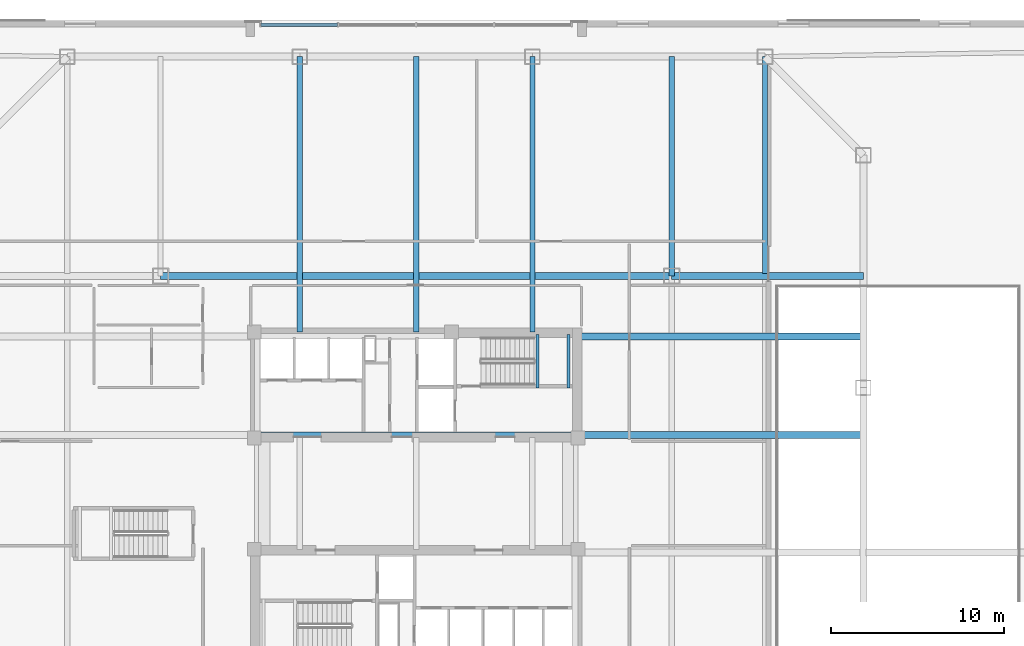
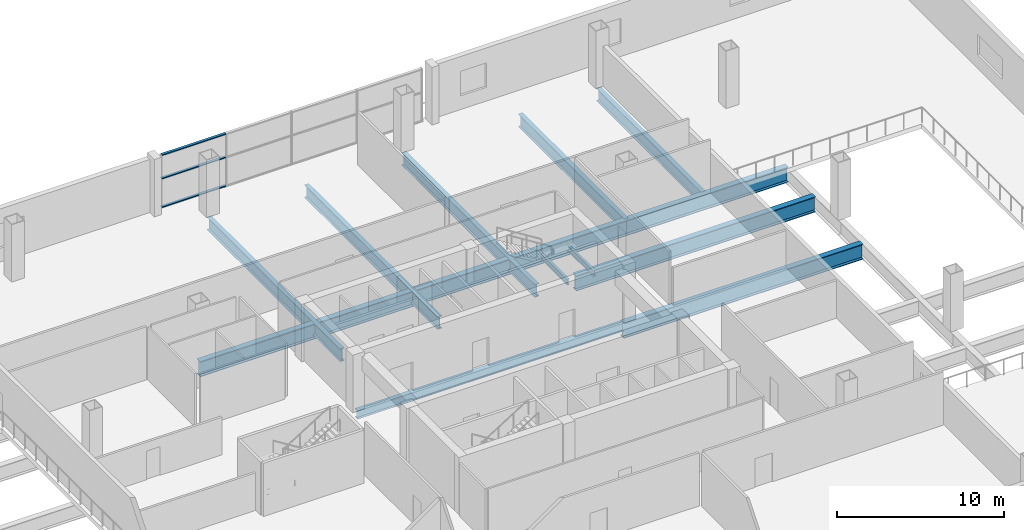
# One storey, part 9 of 21: 12 beams, 3 members, 1 element without a shape of its own.
"""IFC4 building model written with IfcOpenShell, lengths in metres."""

from ifc_helpers import new_model, si_unit, direction, frame, origin, origin_2d, place, context, subcontext, project, spatial, hollow_rectangle, i_section, extrude, material, layer, layer_set, material_profile, profile_set, type_object, element, aggregate, save


model = new_model("IFC4")

# Units and contexts
model_context = context("Model", 3, precision=1e-05, world=origin(), true_north=direction((0.0, 1.0)))
body_context = subcontext(model_context, "Body", "Model", "MODEL_VIEW")
ifc_project = project(units=[si_unit("LENGTHUNIT", "METRE"), si_unit("AREAUNIT", "SQUARE_METRE"), si_unit("VOLUMEUNIT", "CUBIC_METRE"), si_unit("PLANEANGLEUNIT", "RADIAN"), si_unit("MASSUNIT", "GRAM", prefix="KILO")], contexts=[model_context])

# Site, building, storey
site_placement = place(None, origin())
site = spatial("IfcSite", under=ifc_project, at=site_placement, CompositionType="ELEMENT")
building_placement = place(site_placement, origin())
building = spatial("IfcBuilding", under=site, at=building_placement, Name="Qhalaya Broadcast Tower", CompositionType="ELEMENT")
storey_placement = place(building_placement, frame((0.0, 0.0, 9.300048828125)))
storey = spatial("IfcBuildingStorey", under=building, at=storey_placement, Name="L02", CompositionType="ELEMENT", Elevation=9.300048828125)

# Beams
ifc_material_1 = material(Name="Structural Steel ASTM A992 Grade 50", Category="steel")
ifc_material_profile_1 = material_profile(ifc_material_1, i_section(OverallWidth=0.323974609375, OverallDepth=0.612060546875, WebThickness=0.0126953125, FlangeThickness=0.01904296875, at=origin_2d()), Name="W24X104")
ifc_profile_set_1 = profile_set([ifc_material_profile_1], Name="Structural Steel ASTM A992 Grade 50")
beam_type_1 = type_object("IfcBeamType", Name="Core Frame Tie Beam B04", PredefinedType="BEAM", material=ifc_profile_set_1)
beam_1_placement = place(storey_placement, frame((-9.199951171875, 4.0, -0.6259765625), z_axis=(1.0, 0.0, 0.0), x_axis=(0.0, 1.0, 0.0)))
element("IfcBeam", 1, at=beam_1_placement, inside=storey, type_object=beam_type_1, Name="L02 B04 L02-CCN1", PredefinedType="BEAM", context=body_context, shape_type="SweptSolid", body=[
    extrude(i_section(OverallWidth=0.323974609375, OverallDepth=0.612060546875, WebThickness=0.0126953125, FlangeThickness=0.01904296875, at=origin_2d()), origin(), (0.0, 0.0, 1.0), 18.39990234375),
])
ifc_material_profile_2 = material_profile(ifc_material_1, i_section(OverallWidth=0.306884765625, OverallDepth=0.927001953125, WebThickness=0.019287109375, FlangeThickness=0.031982421875, at=origin_2d()), Name="W36X194")
ifc_profile_set_2 = profile_set([ifc_material_profile_2], Name="Structural Steel ASTM A992 Grade 50")
beam_type_2 = type_object("IfcBeamType", Name="Heavy Studio Floor Beam B01", PredefinedType="BEAM", material=ifc_profile_set_2)
for number, where, z_axis, x_axis, name in (
    (2, (-6.7333984375, 9.949951171875, -0.783447265625), (0.0, 1.0, 0.0), (-1.0, 0.0, 0.0), "L02 B01 L02-JS-CN-6.7"),
    (3, (0.0, 9.949951171875, -0.783447265625), (0.0, 1.0, 0.0), (-1.0, 0.0, 0.0), "L02 B01 L02-JS-CN+0.0"),
    (4, (6.7333984375, 9.949951171875, -0.783447265625), (0.0, 1.0, 0.0), (-1.0, 0.0, 0.0), "L02 B01 L02-JS-CN+6.7"),
):
    element("IfcBeam", number, at=place(storey_placement, frame(where, z_axis=z_axis, x_axis=x_axis)), inside=storey, type_object=beam_type_2, Name=name, PredefinedType="BEAM", context=body_context, shape_type="SweptSolid", body=[
        extrude(i_section(OverallWidth=0.306884765625, OverallDepth=0.927001953125, WebThickness=0.019287109375, FlangeThickness=0.031982421875, at=origin_2d()), origin(), (0.0, 0.0, 1.0), 15.949951171875),
    ])
beam_2_placement = place(storey_placement, frame((14.800048828125, 13.199951171875, -0.783447265625), z_axis=(0.0, 1.0, 0.0), x_axis=(-1.0, 0.0, 0.0)))
element("IfcBeam", 5, at=beam_2_placement, inside=storey, type_object=beam_type_2, Name="L02 B01 L02-JS-N+14.8", PredefinedType="BEAM", context=body_context, shape_type="SweptSolid", body=[
    extrude(i_section(OverallWidth=0.306884765625, OverallDepth=0.927001953125, WebThickness=0.019287109375, FlangeThickness=0.031982421875, at=origin_2d()), origin(), (0.0, 0.0, 1.0), 12.699951171875),
])
beam_3_placement = place(storey_placement, frame((20.199951171875, 13.340087890625, -0.783447265625), z_axis=(0.0, 1.0, 0.0), x_axis=(-1.0, 0.0, 0.0)))
element("IfcBeam", 6, at=beam_3_placement, inside=storey, type_object=beam_type_2, Name="L02 B01 L02-JS-N+20.2", PredefinedType="BEAM", context=body_context, shape_type="SweptSolid", body=[
    extrude(i_section(OverallWidth=0.306884765625, OverallDepth=0.927001953125, WebThickness=0.019287109375, FlangeThickness=0.031982421875, at=origin_2d()), origin(), (0.0, 0.0, 1.0), 12.559814453125),
])
ifc_material_profile_3 = material_profile(ifc_material_1, i_section(OverallWidth=0.404052734375, OverallDepth=1.117919921875, WebThickness=0.026123046875, FlangeThickness=0.044921875, at=origin_2d()), Name="W44X335")
ifc_profile_set_3 = profile_set([ifc_material_profile_3], Name="Structural Steel ASTM A992 Grade 50")
beam_type_3 = type_object("IfcBeamType", Name="Podium Long-Span Primary Girder PG1", PredefinedType="USERDEFINED", material=ifc_profile_set_3)
beam_4_placement = place(storey_placement, frame((-14.800048828125, 13.199951171875, -0.879150390625), z_axis=(1.0, 0.0, 0.0), x_axis=(0.0, 1.0, 0.0)))
element("IfcBeam", 7, at=beam_4_placement, inside=storey, type_object=beam_type_3, Name="L02 PG1 L02-PG-GN3", ObjectType="GIRDER", PredefinedType="USERDEFINED", context=body_context, shape_type="SweptSolid", body=[
    extrude(i_section(OverallWidth=0.404052734375, OverallDepth=1.117919921875, WebThickness=0.026123046875, FlangeThickness=0.044921875, at=origin_2d()), origin(), (0.0, 0.0, 1.0), 29.60009765625),
])
beam_5_placement = place(storey_placement, frame((14.800048828125, 13.199951171875, -0.879150390625), z_axis=(1.0, 0.0, 0.0), x_axis=(0.0, 1.0, 0.0)))
element("IfcBeam", 8, at=beam_5_placement, inside=storey, type_object=beam_type_3, Name="L02 PG1 L02-PG-GN4", ObjectType="GIRDER", PredefinedType="USERDEFINED", context=body_context, shape_type="SweptSolid", body=[
    extrude(i_section(OverallWidth=0.404052734375, OverallDepth=1.117919921875, WebThickness=0.026123046875, FlangeThickness=0.044921875, at=origin_2d()), origin(), (0.0, 0.0, 1.0), 11.099853515625),
])
for number, where, z_axis, x_axis, name in (
    (9, (9.199951171875, 4.0, -0.879150390625), (1.0, 0.0, 0.0), (0.0, 1.0, 0.0), "L02 PG1 L02-PG-E3A"),
    (10, (9.199951171875, 9.699951171875, -0.879150390625), (1.0, 0.0, 0.0), (0.0, 1.0, 0.0), "L02 PG1 L02-PG-E4A"),
):
    element("IfcBeam", number, at=place(storey_placement, frame(where, z_axis=z_axis, x_axis=x_axis)), inside=storey, type_object=beam_type_3, Name=name, ObjectType="GIRDER", PredefinedType="USERDEFINED", context=body_context, shape_type="SweptSolid", body=[
        extrude(i_section(OverallWidth=0.404052734375, OverallDepth=1.117919921875, WebThickness=0.026123046875, FlangeThickness=0.044921875, at=origin_2d()), origin(), (0.0, 0.0, 1.0), 16.56005859375),
    ])

# Curtain wall, members
ifc_material_2 = material(Name="Solar-Control Low-E Triple Glazing", Category="glass")
ifc_layer = layer(ifc_material_2, 0.219970703125, Name="Solar-Control Low-E Triple Glazing")
ifc_layer_set = layer_set([ifc_layer], Name="Solar-Control Low-E Triple Glazing")
curtain_wall_type = type_object("IfcCurtainWallType", Name="Podium Concourse Triple-Height Glazed Portal CW-01", PredefinedType="NOTDEFINED", material=ifc_layer_set)
curtain_wall_placement = place(storey_placement, origin())
curtain_wall = element("IfcCurtainWall", 11, at=curtain_wall_placement, inside=storey, type_object=curtain_wall_type, Name="L02 Unitised Curtain Wall L02-CW01-N", PredefinedType="NOTDEFINED")
ifc_material_3 = material(Name="Anodised Aluminium 6063-T6", Category="aluminium")
ifc_material_profile_4 = material_profile(ifc_material_3, hollow_rectangle(XDim=0.074951171875, YDim=0.179931640625, WallThickness=0.00390625, at=origin_2d()), Name="ALU-TRN 75x180x4")
ifc_profile_set_4 = profile_set([ifc_material_profile_4], Name="Anodised Aluminium 6063-T6")
member_type = type_object("IfcMemberType", Name="Unitised Curtain-Wall Transom T01", PredefinedType="USERDEFINED", material=ifc_profile_set_4)
member_1_placement = place(storey_placement, frame((-4.5625, 27.75, 0.037353515625), z_axis=(-1.0, 0.0, 0.0), x_axis=(0.0, 0.0, 1.0)))
member_1 = element("IfcMember", 12, at=member_1_placement, type_object=member_type, Name="CW-01 transom 4.1", ObjectType="TRANSOM", PredefinedType="USERDEFINED", context=body_context, shape_type="SweptSolid", body=[
    extrude(hollow_rectangle(XDim=0.074951171875, YDim=0.179931640625, WallThickness=0.00390625, at=origin_2d()), origin(), (0.0, 0.0, 1.0), 4.41259765625),
])
member_2_placement = place(storey_placement, frame((-4.5625, 27.75, 2.134033203125), z_axis=(-1.0, 0.0, 0.0), x_axis=(0.0, 0.0, 1.0)))
member_2 = element("IfcMember", 13, at=member_2_placement, type_object=member_type, Name="CW-01 transom 4.2", ObjectType="TRANSOM", PredefinedType="USERDEFINED", context=body_context, shape_type="SweptSolid", body=[
    extrude(hollow_rectangle(XDim=0.074951171875, YDim=0.179931640625, WallThickness=0.00390625, at=origin_2d()), origin(), (0.0, 0.0, 1.0), 4.41259765625),
])
member_3_placement = place(storey_placement, frame((-4.5625, 27.75, 3.842529296875), z_axis=(-1.0, 0.0, 0.0), x_axis=(0.0, 0.0, 1.0)))
member_3 = element("IfcMember", 14, at=member_3_placement, type_object=member_type, Name="CW-01 transom 4.3", ObjectType="TRANSOM", PredefinedType="USERDEFINED", context=body_context, shape_type="SweptSolid", body=[
    extrude(hollow_rectangle(XDim=0.074951171875, YDim=0.179931640625, WallThickness=0.00390625, at=origin_2d()), origin(), (0.0, 0.0, 1.0), 4.41259765625),
])
aggregate(curtain_wall, [member_1, member_2, member_3])

# Beams
ifc_material_profile_5 = material_profile(ifc_material_1, i_section(OverallWidth=0.177978515625, OverallDepth=0.406005859375, WebThickness=0.0078125, FlangeThickness=0.0126953125, at=origin_2d()), Name="W16X40")
ifc_profile_set_5 = profile_set([ifc_material_profile_5], Name="Structural Steel ASTM A992 Grade 50")
beam_type_4 = type_object("IfcBeamType", Name="Upper Perimeter Spandrel Beam SP2", PredefinedType="SPANDREL", material=ifc_profile_set_5)
for number, where, z_axis, x_axis, name in (
    (15, (7.014892578125, 6.699951171875, 1.697021484375), (0.0, 1.0, 0.0), (-1.0, 0.0, 0.0), "L02 ST-1 Half-Landing Bearer Beam 1"),
    (16, (8.830078125, 6.699951171875, 1.697021484375), (0.0, 1.0, 0.0), (-1.0, 0.0, 0.0), "L02 ST-1 Half-Landing Bearer Beam 2"),
):
    element("IfcBeam", number, at=place(storey_placement, frame(where, z_axis=z_axis, x_axis=x_axis)), inside=storey, type_object=beam_type_4, Name=name, PredefinedType="SPANDREL", context=body_context, shape_type="SweptSolid", body=[
        extrude(i_section(OverallWidth=0.177978515625, OverallDepth=0.406005859375, WebThickness=0.0078125, FlangeThickness=0.0126953125, at=origin_2d()), origin(), (0.0, 0.0, 1.0), 3.1201171875),
    ])

save(model, "model.ifc")
